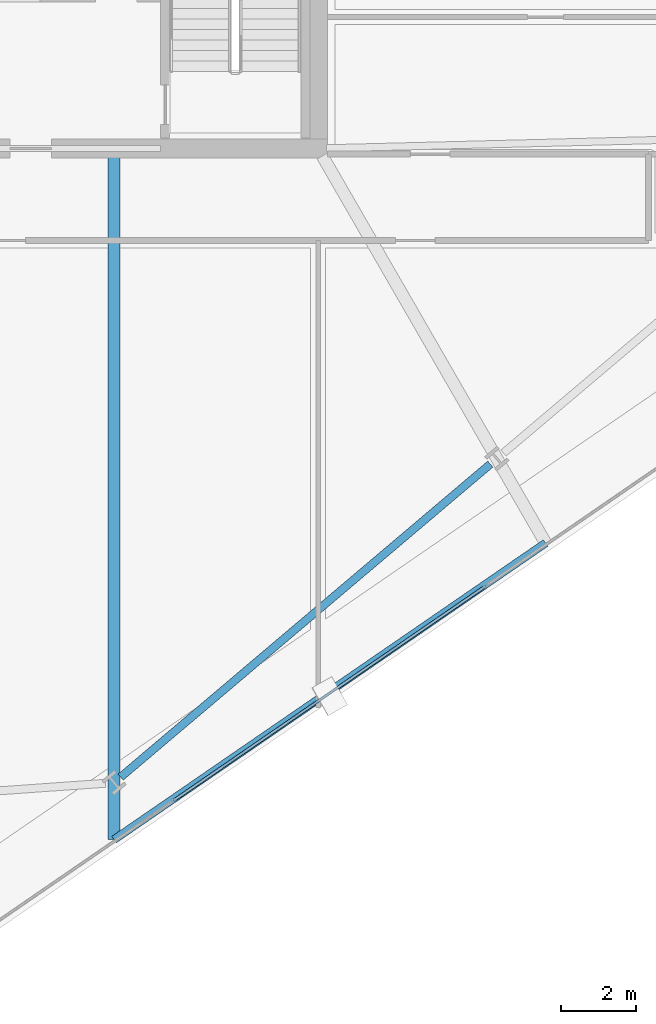
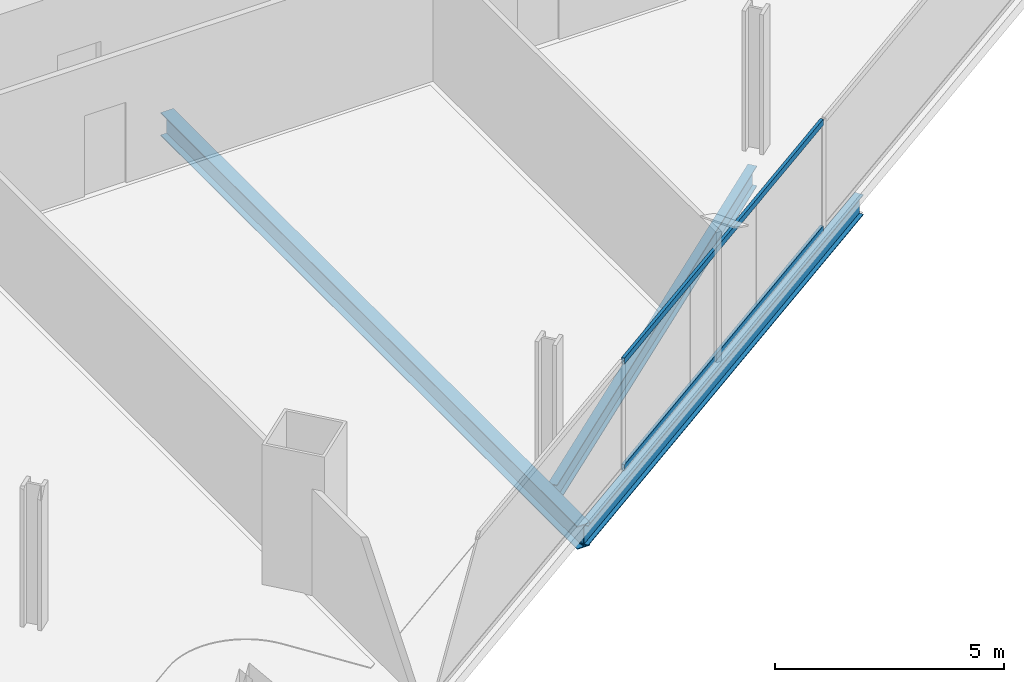
# One storey, part 7 of 29: 3 beams, 2 members, 1 element without a shape of its own.
"""IFC4 building model written with IfcOpenShell, lengths in metres."""

from ifc_helpers import new_model, si_unit, direction, frame, origin, origin_2d, place, context, subcontext, project, spatial, hollow_rectangle, i_section, extrude, material, material_profile, profile_set, type_object, element, aggregate, save


model = new_model("IFC4")

# Units and contexts
model_context = context("Model", 3, precision=1e-05, world=origin(), true_north=direction((0.0, 1.0)))
body_context = subcontext(model_context, "Body", "Model", "MODEL_VIEW")
ifc_project = project(units=[si_unit("LENGTHUNIT", "METRE"), si_unit("AREAUNIT", "SQUARE_METRE"), si_unit("VOLUMEUNIT", "CUBIC_METRE"), si_unit("PLANEANGLEUNIT", "RADIAN"), si_unit("MASSUNIT", "GRAM", prefix="KILO")], contexts=[model_context])

# Site, building, storey
site_placement = place(None, origin())
site = spatial("IfcSite", under=ifc_project, at=site_placement, CompositionType="ELEMENT")
building_placement = place(site_placement, origin())
building = spatial("IfcBuilding", under=site, at=building_placement, Name="Haldenkirk Collegiate Tower", CompositionType="ELEMENT")
storey_placement = place(building_placement, frame((0.0, 0.0, 144.449951171875)))
storey = spatial("IfcBuildingStorey", under=building, at=storey_placement, Name="L35", CompositionType="ELEMENT", Elevation=144.449951171875)

# Beams
ifc_material_1 = material(Name="Steel ASTM A992 Grade 50", Category="steel")
ifc_material_profile_1 = material_profile(ifc_material_1, i_section(OverallWidth=0.324951171875, OverallDepth=0.615966796875, WebThickness=0.013916015625, FlangeThickness=0.021484375, at=origin_2d()), Name="W24X117")
ifc_profile_set_1 = profile_set([ifc_material_profile_1], Name="Steel ASTM A992 Grade 50")
beam_type_1 = type_object("IfcBeamType", Name="BM-GIRDER-W24X117", PredefinedType="BEAM", material=ifc_profile_set_1)
beam_1_placement = place(storey_placement, frame((39.568603515625, -0.402099609375, -0.597900390625), z_axis=(0.0, 1.0, 0.0), x_axis=(-1.0, 0.0, 0.0)))
element("IfcBeam", 1, at=beam_1_placement, inside=storey, type_object=beam_type_1, Name="L35 primary floor girder 05", PredefinedType="BEAM", context=body_context, shape_type="SweptSolid", body=[
    extrude(i_section(OverallWidth=0.324951171875, OverallDepth=0.615966796875, WebThickness=0.013916015625, FlangeThickness=0.021484375, at=origin_2d()), origin(), (0.0, 0.0, 1.0), 18.172119140625),
])
ifc_material_profile_2 = material_profile(ifc_material_1, i_section(OverallWidth=0.2119140625, OverallDepth=0.5439453125, WebThickness=0.01318359375, FlangeThickness=0.021240234375, at=origin_2d()), Name="W21X83")
ifc_profile_set_2 = profile_set([ifc_material_profile_2], Name="Steel ASTM A992 Grade 50")
beam_type_2 = type_object("IfcBeamType", Name="BM-SPANDREL-W21X83", PredefinedType="SPANDREL", material=ifc_profile_set_2)
beam_2_placement = place(storey_placement, frame((39.743408203125, 1.261474609375, -0.56201171875), z_axis=(0.763233335078, 0.646122957514, 0.0), x_axis=(-0.646122957514, 0.763233335078, 0.0)))
element("IfcBeam", 2, at=beam_2_placement, inside=storey, type_object=beam_type_2, Name="L35 perimeter spandrel beam 02", PredefinedType="SPANDREL", context=body_context, shape_type="SweptSolid", body=[
    extrude(i_section(OverallWidth=0.2119140625, OverallDepth=0.5439453125, WebThickness=0.01318359375, FlangeThickness=0.021240234375, at=origin_2d()), origin(), (0.0, 0.0, 1.0), 12.898193359375),
])
beam_3_placement = place(storey_placement, frame((39.568603515625, -0.402099609375, -0.56201171875), z_axis=(0.824125194021, 0.566407684075, 0.0), x_axis=(-0.566407684075, 0.824125194021, 0.0)))
element("IfcBeam", 3, at=beam_3_placement, inside=storey, type_object=beam_type_2, Name="L35 outer facade edge beam 1", PredefinedType="SPANDREL", context=body_context, shape_type="SweptSolid", body=[
    extrude(i_section(OverallWidth=0.2119140625, OverallDepth=0.5439453125, WebThickness=0.01318359375, FlangeThickness=0.021240234375, at=origin_2d()), origin(), (0.0, 0.0, 1.0), 13.942626953125),
])

# Curtain wall, members
ifc_material_2 = material(Name="Anodised architectural bronze aluminium", Category="aluminium")
curtain_wall_type = type_object("IfcCurtainWallType", Name="CW-SYS2-CONCAVE", PredefinedType="USERDEFINED", material=ifc_material_2)
curtain_wall_placement = place(storey_placement, origin())
curtain_wall = element("IfcCurtainWall", 4, at=curtain_wall_placement, inside=storey, type_object=curtain_wall_type, Name="L35 South concave recessed bronze-anodised curtain wall", ObjectType="UNITISED CURTAIN WALL", PredefinedType="USERDEFINED")
ifc_material_profile_3 = material_profile(ifc_material_2, hollow_rectangle(XDim=0.074951171875, YDim=0.159912109375, WallThickness=0.0048828125, at=origin_2d()), Name="CW-TRN-02")
ifc_profile_set_3 = profile_set([ifc_material_profile_3], Name="Anodised architectural bronze aluminium")
member_type = type_object("IfcMemberType", Name="CW-TRN-02", PredefinedType="USERDEFINED", material=ifc_profile_set_3)
member_1_placement = place(storey_placement, frame((49.4609375, 6.34814453125, 0.03759765625), z_axis=(-0.82413100043, -0.566399235638, 0.0), x_axis=(0.566399235638, -0.82413100043, 0.0)))
member_1 = element("IfcMember", 5, at=member_1_placement, type_object=member_type, Name="CW-02 transom 3.1", ObjectType="TRANSOM", PredefinedType="USERDEFINED", context=body_context, shape_type="SweptSolid", body=[
    extrude(hollow_rectangle(XDim=0.074951171875, YDim=0.159912109375, WallThickness=0.0048828125, at=origin_2d()), origin(), (0.0, 0.0, 1.0), 10.0751953125),
])
member_2_placement = place(storey_placement, frame((49.4609375, 6.34814453125, 2.87353515625), z_axis=(-0.82413100043, -0.566399235638, 0.0), x_axis=(0.566399235638, -0.82413100043, 0.0)))
member_2 = element("IfcMember", 6, at=member_2_placement, type_object=member_type, Name="CW-02 transom 3.2", ObjectType="TRANSOM", PredefinedType="USERDEFINED", context=body_context, shape_type="SweptSolid", body=[
    extrude(hollow_rectangle(XDim=0.074951171875, YDim=0.159912109375, WallThickness=0.0048828125, at=origin_2d()), origin(), (0.0, 0.0, 1.0), 10.0751953125),
])
aggregate(curtain_wall, [member_1, member_2])

save(model, "model.ifc")
